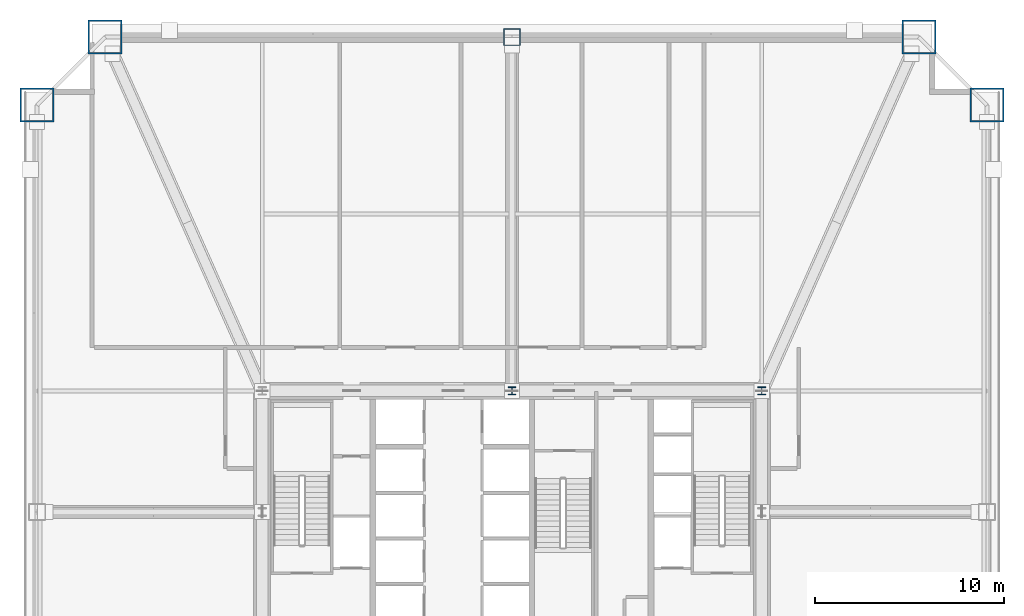
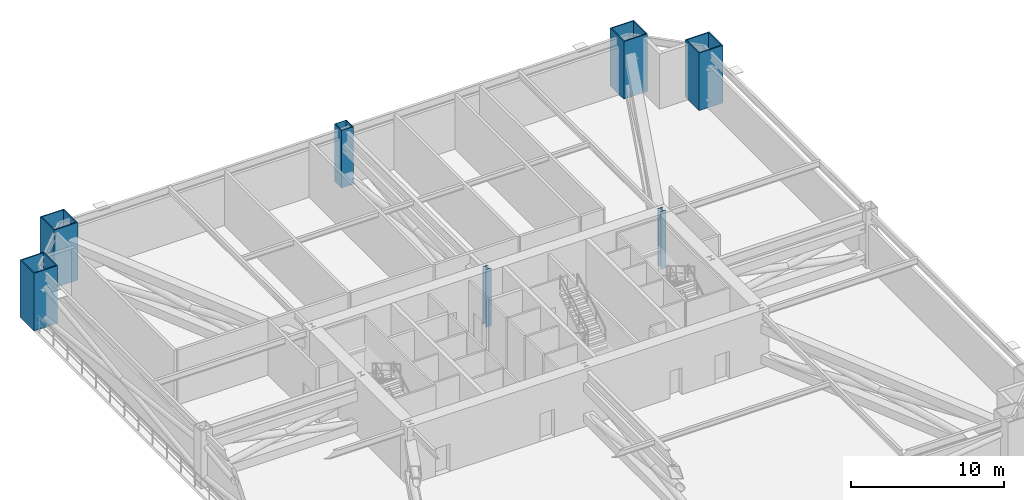
# One storey, part 2 of 11: 7 columns.
"""IFC4 building model written with IfcOpenShell, lengths in metres."""

from ifc_helpers import new_model, si_unit, direction, frame, origin, origin_2d, place, context, subcontext, project, spatial, hollow_rectangle, i_section, extrude, source, transform, mapped, material, material_profile, profile_set, type_object, element, save


model = new_model("IFC4")

# Units and contexts
model_context = context("Model", 3, precision=1e-05, world=origin(), true_north=direction((0.0, 1.0)))
body_context = subcontext(model_context, "Body", "Model", "MODEL_VIEW")
ifc_project = project(units=[si_unit("LENGTHUNIT", "METRE"), si_unit("AREAUNIT", "SQUARE_METRE"), si_unit("VOLUMEUNIT", "CUBIC_METRE"), si_unit("PLANEANGLEUNIT", "RADIAN"), si_unit("MASSUNIT", "GRAM", prefix="KILO"), si_unit("THERMODYNAMICTEMPERATUREUNIT", "KELVIN"), si_unit("POWERUNIT", "WATT")], contexts=[model_context])

# Site, building, storey
site_placement = place(None, origin())
site = spatial("IfcSite", under=ifc_project, at=site_placement, CompositionType="ELEMENT")
building_placement = place(site_placement, origin())
building = spatial("IfcBuilding", under=site, at=building_placement, Name="Yuzanri Waterfront Tower", CompositionType="ELEMENT")
storey_placement = place(building_placement, frame((0.0, 0.0, 41.39990234375)))
storey = spatial("IfcBuildingStorey", under=building, at=storey_placement, Name="L10", CompositionType="ELEMENT", Elevation=41.39990234375)

# Columns
ifc_material_1 = material(Name="Steel Q355B", Category="steel")
ifc_material_profile_1 = material_profile(ifc_material_1, i_section(OverallWidth=0.406982421875, OverallDepth=0.427978515625, WebThickness=0.02001953125, FlangeThickness=0.034912109375, at=origin_2d()), Name="HW 428x407x20x35")
ifc_profile_set_1 = profile_set([ifc_material_profile_1], Name="Steel Q355B")
column_type_1 = type_object("IfcColumnType", Name="Core Post Q355B HW 428x407x20x35", PredefinedType="COLUMN", material=ifc_profile_set_1)
shared_shape_1 = source(origin(), body_context, "Body", "SweptSolid", [
    extrude(i_section(OverallWidth=0.406982421875, OverallDepth=0.427978515625, WebThickness=0.02001953125, FlangeThickness=0.034912109375, at=origin_2d()), origin(), (0.0, 0.0, 1.0), 4.60009765625),
])
for number, where, z_axis, x_axis, name in (
    (1, (37.0, 32.199951171875, 0.0), (0.0, 0.0, 1.0), (1.0, 0.0, 0.0), "L10 Core Boundary Column CP7"),
    (2, (50.199951171875, 32.199951171875, 0.0), (0.0, 0.0, 1.0), (1.0, 0.0, 0.0), "L10 Core Boundary Column CP8"),
):
    element("IfcColumn", number, at=place(storey_placement, frame(where, z_axis=z_axis, x_axis=x_axis)), inside=storey, type_object=column_type_1, Name=name, PredefinedType="COLUMN", context=body_context, shape_type="MappedRepresentation", body=[
        mapped(shared_shape_1, transform((0.0, 0.0, 0.0), scale=1.0)),
    ])
ifc_material_2 = material(Name="Steel Q420GJC", Category="steel")
ifc_material_profile_2 = material_profile(ifc_material_2, hollow_rectangle(XDim=1.800048828125, YDim=1.800048828125, WallThickness=0.080078125, at=origin_2d()), Name="RHS 1800x1800x80")
ifc_profile_set_2 = profile_set([ifc_material_profile_2], Name="Steel Q420GJC")
column_type_2 = type_object("IfcColumnType", Name="Mega Column Q420GJC RHS 1800x1800x80", PredefinedType="COLUMN", material=ifc_profile_set_2)
shared_shape_2 = source(origin(), body_context, "Body", "SweptSolid", [
    extrude(hollow_rectangle(XDim=1.800048828125, YDim=1.800048828125, WallThickness=0.080078125, at=origin_2d()), origin(), (0.0, 0.0, 1.0), 4.60009765625),
])
for number, where, z_axis, x_axis, name in (
    (3, (15.5, 50.89990234375, 0.0), (0.0, 0.0, 1.0), (1.0, 0.0, 0.0), "L10 Perimeter Mega Column N1"),
    (4, (58.5, 50.89990234375, 0.0), (0.0, 0.0, 1.0), (1.0, 0.0, 0.0), "L10 Perimeter Mega Column N3"),
    (5, (11.89990234375, 47.300048828125, 0.0), (0.0, 0.0, 1.0), (1.0, 0.0, 0.0), "L10 Perimeter Mega Column W3"),
    (6, (62.10009765625, 47.300048828125, 0.0), (0.0, 0.0, 1.0), (1.0, 0.0, 0.0), "L10 Perimeter Mega Column E3"),
):
    element("IfcColumn", number, at=place(storey_placement, frame(where, z_axis=z_axis, x_axis=x_axis)), inside=storey, type_object=column_type_2, Name=name, PredefinedType="COLUMN", context=body_context, shape_type="MappedRepresentation", body=[
        mapped(shared_shape_2, transform((0.0, 0.0, 0.0), scale=1.0)),
    ])
ifc_material_3 = material(Name="Steel Q390GJC", Category="steel")
ifc_material_profile_3 = material_profile(ifc_material_3, hollow_rectangle(XDim=0.89990234375, YDim=0.89990234375, WallThickness=0.0419921875, at=origin_2d()), Name="RHS 900x900x42")
ifc_profile_set_3 = profile_set([ifc_material_profile_3], Name="Steel Q390GJC")
column_type_3 = type_object("IfcColumnType", Name="Frame Column Q390GJC RHS 900x900x42", PredefinedType="COLUMN", material=ifc_profile_set_3)
shared_shape_3 = source(origin(), body_context, "Body", "SweptSolid", [
    extrude(hollow_rectangle(XDim=0.89990234375, YDim=0.89990234375, WallThickness=0.0419921875, at=origin_2d()), origin(), (0.0, 0.0, 1.0), 4.60009765625),
])
column_placement = place(storey_placement, frame((37.0, 50.89990234375, 0.0), z_axis=(0.0, 0.0, 1.0), x_axis=(1.0, 0.0, 0.0)))
element("IfcColumn", 7, at=column_placement, inside=storey, type_object=column_type_3, Name="L10 Perimeter Frame Column N2", PredefinedType="COLUMN", context=body_context, shape_type="MappedRepresentation", body=[
    mapped(shared_shape_3, transform((0.0, 0.0, 0.0), scale=1.0)),
])

save(model, "model.ifc")
